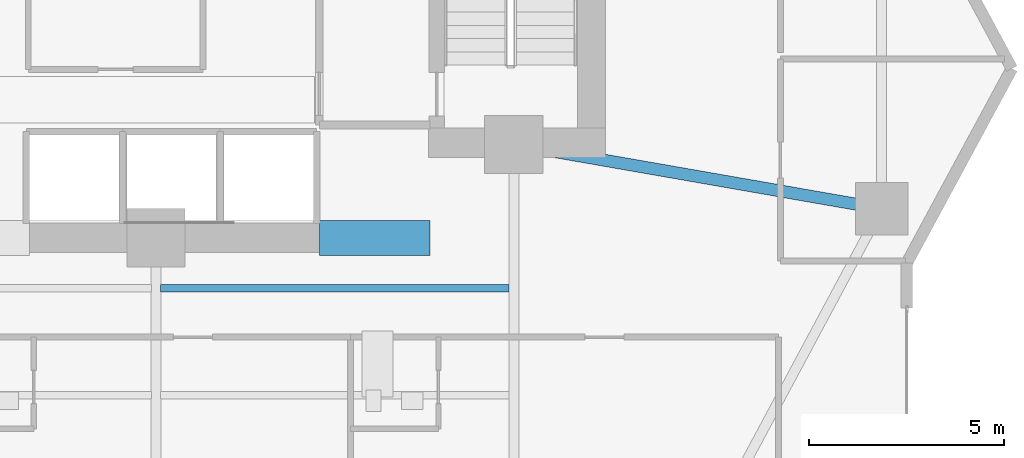
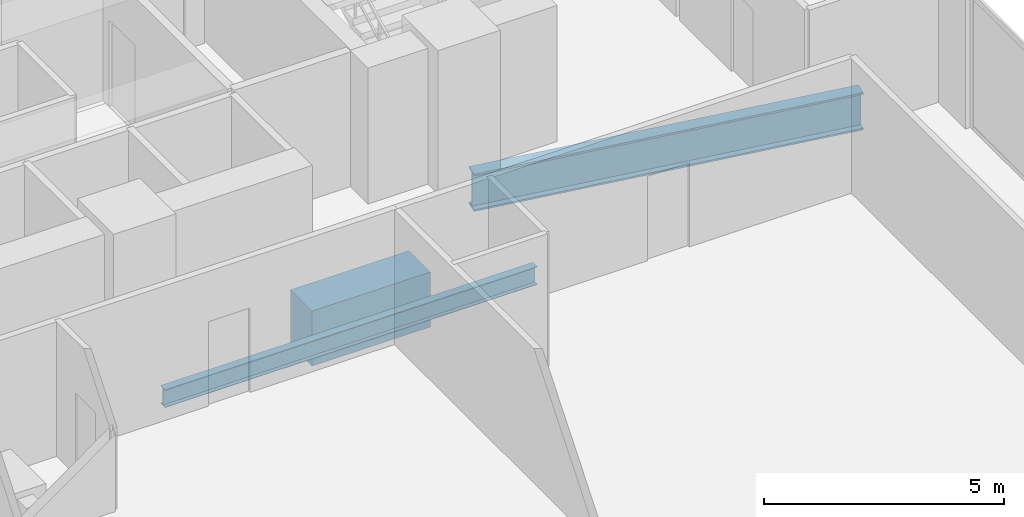
# One storey, part 12 of 28: 3 beams.
"""IFC4 building model written with IfcOpenShell, lengths in metres."""

from ifc_helpers import new_model, si_unit, direction, frame, origin, origin_2d, place, context, subcontext, project, spatial, rectangle, i_section, extrude, material, material_profile, profile_set, type_object, element, save


model = new_model("IFC4")

# Units and contexts
model_context = context("Model", 3, precision=1e-05, world=origin(), true_north=direction((0.0, 1.0)))
body_context = subcontext(model_context, "Body", "Model", "MODEL_VIEW")
ifc_project = project(units=[si_unit("LENGTHUNIT", "METRE"), si_unit("AREAUNIT", "SQUARE_METRE"), si_unit("VOLUMEUNIT", "CUBIC_METRE"), si_unit("PLANEANGLEUNIT", "RADIAN"), si_unit("MASSUNIT", "GRAM", prefix="KILO")], contexts=[model_context])

# Site, building, storey
site_placement = place(None, origin())
site = spatial("IfcSite", under=ifc_project, at=site_placement, CompositionType="ELEMENT")
building_placement = place(site_placement, origin())
building = spatial("IfcBuilding", under=site, at=building_placement, Name="Zuhayl Quay Hotel", CompositionType="ELEMENT")
storey_placement = place(building_placement, frame((0.0, 0.0, 139.449951171875)))
storey = spatial("IfcBuildingStorey", under=building, at=storey_placement, Name="L35", CompositionType="ELEMENT", Elevation=139.449951171875)

# Beams
ifc_material_1 = material(Name="Concrete C60/75", Category="concrete")
ifc_material_profile_1 = material_profile(ifc_material_1, rectangle(XDim=0.89990234375, YDim=1.39990234375, at=origin_2d()), Name="RC900X1400")
ifc_profile_set_1 = profile_set([ifc_material_profile_1], Name="Concrete C60/75")
beam_type_1 = type_object("IfcBeamType", Name="BM_CB1_RC900", PredefinedType="T_BEAM", material=ifc_profile_set_1)
beam_1_placement = place(storey_placement, frame((8.800048828125, 2.14990234375, -0.919921875), z_axis=(1.0, 0.0, 0.0), x_axis=(0.0, 1.0, 0.0)))
element("IfcBeam", 1, at=beam_1_placement, inside=storey, type_object=beam_type_1, Name="L35 Core Coupling Beam SE", PredefinedType="T_BEAM", context=body_context, shape_type="SweptSolid", body=[
    extrude(rectangle(XDim=0.89990234375, YDim=1.39990234375, at=origin_2d()), origin(), (0.0, 0.0, 1.0), 2.849853515625),
])
ifc_material_2 = material(Name="Steel ASTM A992 Grade 50", Category="steel")
ifc_material_profile_2 = material_profile(ifc_material_2, i_section(OverallWidth=0.18994140625, OverallDepth=0.45703125, WebThickness=0.009033203125, FlangeThickness=0.014404296875, at=origin_2d()), Name="W18X50")
ifc_profile_set_2 = profile_set([ifc_material_profile_2], Name="Steel ASTM A992 Grade 50")
beam_type_2 = type_object("IfcBeamType", Name="BM_J2_W18X50", PredefinedType="JOIST", material=ifc_profile_set_2)
beam_2_placement = place(storey_placement, frame((4.718994140625, 0.85009765625, -0.448486328125), z_axis=(1.0, 0.0, 0.0), x_axis=(0.0, 1.0, 0.0)))
element("IfcBeam", 2, at=beam_2_placement, inside=storey, type_object=beam_type_2, Name="L35 Floor Beam FJ_L35_9_3", PredefinedType="JOIST", context=body_context, shape_type="SweptSolid", body=[
    extrude(i_section(OverallWidth=0.18994140625, OverallDepth=0.45703125, WebThickness=0.009033203125, FlangeThickness=0.014404296875, at=origin_2d()), origin(), (0.0, 0.0, 1.0), 8.9619140625),
])
ifc_material_profile_3 = material_profile(ifc_material_2, i_section(OverallWidth=0.31005859375, OverallDepth=0.949951171875, WebThickness=0.0244140625, FlangeThickness=0.0439453125, at=origin_2d()), Name="W36X256")
ifc_profile_set_3 = profile_set([ifc_material_profile_3], Name="Steel ASTM A992 Grade 50")
beam_type_3 = type_object("IfcBeamType", Name="BM_PG1_W36X256", PredefinedType="BEAM", material=ifc_profile_set_3)
beam_3_placement = place(storey_placement, frame((14.243408203125, 4.47265625, -0.695068359375), z_axis=(0.985097302632, -0.171997977741, 0.0), x_axis=(0.171997977741, 0.985097302632, 0.0)))
element("IfcBeam", 3, at=beam_3_placement, inside=storey, type_object=beam_type_3, Name="L35 Floor Beam FG_E_L35_1", PredefinedType="BEAM", context=body_context, shape_type="SweptSolid", body=[
    extrude(i_section(OverallWidth=0.31005859375, OverallDepth=0.949951171875, WebThickness=0.0244140625, FlangeThickness=0.0439453125, at=origin_2d()), origin(), (0.0, 0.0, 1.0), 8.64306640625),
])

save(model, "model.ifc")
